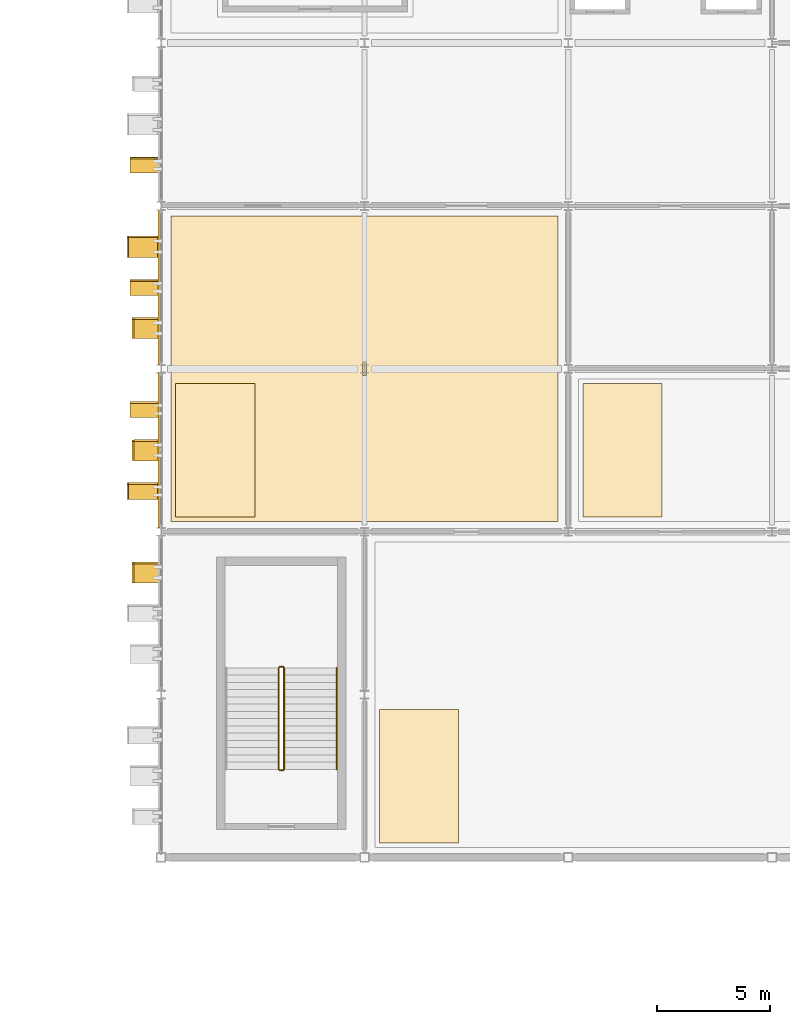
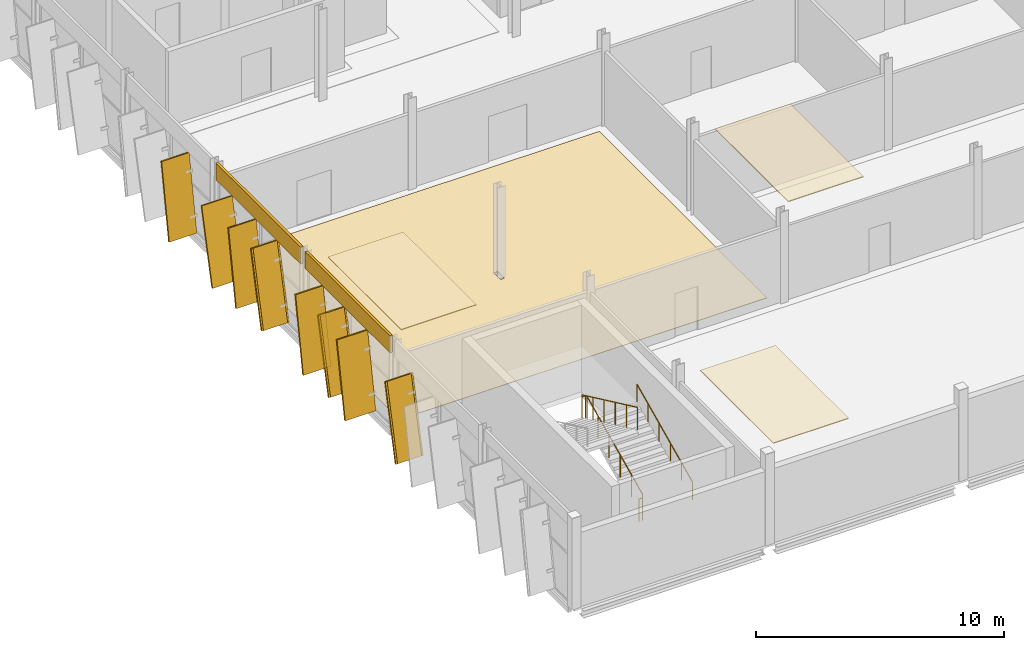
# One storey, part 73 of 78: 14 coverings, 8 shading devices, 5 railings.
"""IFC4 building model written with IfcOpenShell, lengths in metres."""

from ifc_helpers import new_model, si_unit, direction, frame, origin, origin_2d, place, context, subcontext, project, spatial, polyline, rectangle, circle, outline, extrude, material, layer, layer_set, material_profile, profile_set, type_object, element, save


model = new_model("IFC4")

# Units and contexts
model_context = context("Model", 3, precision=1e-05, world=origin(), true_north=direction((0.0, 1.0)))
body_context = subcontext(model_context, "Body", "Model", "MODEL_VIEW")
ifc_project = project(units=[si_unit("LENGTHUNIT", "METRE"), si_unit("AREAUNIT", "SQUARE_METRE"), si_unit("VOLUMEUNIT", "CUBIC_METRE"), si_unit("PLANEANGLEUNIT", "RADIAN"), si_unit("MASSUNIT", "GRAM", prefix="KILO")], contexts=[model_context])

# Site, building, storey
site_placement = place(None, origin())
site = spatial("IfcSite", under=ifc_project, at=site_placement, CompositionType="ELEMENT")
building_placement = place(site_placement, origin())
building = spatial("IfcBuilding", under=site, at=building_placement, Name="Celestram Park Convention Centre", CompositionType="ELEMENT")
storey_placement = place(building_placement, frame((0.0, 0.0, 19.800048828125)))
storey = spatial("IfcBuildingStorey", under=building, at=storey_placement, Name="L04", CompositionType="ELEMENT", Elevation=19.800048828125)

# Coverings
ifc_material_1 = material(Name="Anodised Bronze Aluminium Spandrel Cladding", Category="aluminium")
ifc_layer_1 = layer(ifc_material_1, 0.050048828125)
ifc_layer_set_1 = layer_set([ifc_layer_1], Name="Anodised Bronze Aluminium Spandrel Cladding")
covering_type_1 = type_object("IfcCoveringType", Name="ARC-COV-CLD060", PredefinedType="CLADDING", material=ifc_layer_set_1)
for number, where, z_axis, x_axis, name in (
    (1, (35.919921875, 126.0, 3.66796875), (0.0, 0.0, 1.0), (0.0, 1.0, 0.0), "Bronze spandrel cladding CL-L04-231"),
    (2, (35.919921875, 133.199951171875, 3.66796875), (0.0, 0.0, 1.0), (0.0, 1.0, 0.0), "Bronze spandrel cladding CL-L04-232"),
):
    element("IfcCovering", number, at=place(storey_placement, frame(where, z_axis=z_axis, x_axis=x_axis)), inside=storey, type_object=covering_type_1, Name=name, PredefinedType="CLADDING", context=body_context, shape_type="SweptSolid", body=[
        extrude(rectangle(XDim=6.8310546875, YDim=0.1201171875, at=origin_2d()), origin(), (0.0, 0.0, 1.0), 0.83203125),
    ])
ifc_material_2 = material(Name="Perforated Acoustic Mineral-Fibre Baffle Ceiling", Category="gypsum")
ifc_layer_2 = layer(ifc_material_2, 0.0400390625)
ifc_layer_set_2 = layer_set([ifc_layer_2], Name="Perforated Acoustic Mineral-Fibre Baffle Ceiling")
covering_type_2 = type_object("IfcCoveringType", Name="ARC-COV-CLG040", PredefinedType="CEILING", material=ifc_layer_set_2)
covering_1_placement = place(storey_placement, frame((0.0, 0.0, 4.219970703125)))
element("IfcCovering", 3, at=covering_1_placement, inside=storey, type_object=covering_type_2, Name="Summit VIP Briefing Room acoustic baffle ceiling", PredefinedType="CEILING", context=body_context, shape_type="SweptSolid", body=[
    extrude(outline(polyline([(45.64990234375, 108.64990234375), (49.14990234375, 108.64990234375), (49.14990234375, 114.550048828125), (45.64990234375, 114.550048828125), (45.64990234375, 108.64990234375)])), origin(), (0.0, 0.0, 1.0), 0.0400390625),
])
covering_2_placement = place(storey_placement, frame((0.0, 0.0, 4.219970703125)))
element("IfcCovering", 4, at=covering_2_placement, inside=storey, type_object=covering_type_2, Name="Executive Conference Room 401 acoustic baffle ceiling", PredefinedType="CEILING", context=body_context, shape_type="SweptSolid", body=[
    extrude(outline(polyline([(36.64990234375, 123.050048828125), (40.14990234375, 123.050048828125), (40.14990234375, 128.949951171875), (36.64990234375, 128.949951171875), (36.64990234375, 123.050048828125)])), origin(), (0.0, 0.0, 1.0), 0.0400390625),
])
covering_3_placement = place(storey_placement, frame((0.0, 0.0, 4.219970703125)))
element("IfcCovering", 5, at=covering_3_placement, inside=storey, type_object=covering_type_2, Name="Concourse Delegate Lounge L04 acoustic baffle ceiling", PredefinedType="CEILING", context=body_context, shape_type="SweptSolid", body=[
    extrude(outline(polyline([(54.64990234375, 123.050048828125), (58.14990234375, 123.050048828125), (58.14990234375, 128.949951171875), (54.64990234375, 128.949951171875), (54.64990234375, 123.050048828125)])), origin(), (0.0, 0.0, 1.0), 0.0400390625),
])
ifc_material_3 = material(Name="Timber-Toned Anodised Aluminium Alloy 6063-T6", Category="wood")
ifc_material_profile_1 = material_profile(ifc_material_3, rectangle(XDim=1.1201171875, YDim=0.090087890625, at=origin_2d()), Name="REED1120X90")
ifc_profile_set_1 = profile_set([ifc_material_profile_1], Name="Timber-Toned Anodised Aluminium Alloy 6063-T6")
covering_type_3 = type_object("IfcCoveringType", Name="ARC-COV-FIN1120", PredefinedType="CLADDING", material=ifc_profile_set_1)
covering_4_placement = place(storey_placement, frame((35.360107421875, 120.178466796875, 0.054443359375), z_axis=(0.0, 0.231720322485, 0.97278244852), x_axis=(-1.0, 0.0, 0.0)))
element("IfcCovering", 6, at=covering_4_placement, inside=storey, type_object=covering_type_3, Name="Leaning timber-toned reed fin RFN-L04-0734", PredefinedType="CLADDING", context=body_context, shape_type="SweptSolid", body=[
    extrude(rectangle(XDim=1.1201171875, YDim=0.090087890625, at=origin_2d()), origin(), (0.0, 0.0, 1.0), 3.63818359375),
])
covering_5_placement = place(storey_placement, frame((35.360107421875, 125.57861328125, 0.054443359375), z_axis=(0.0, 0.231656817308, 0.972797573493), x_axis=(-1.0, 0.0, 0.0)))
element("IfcCovering", 7, at=covering_5_placement, inside=storey, type_object=covering_type_3, Name="Leaning timber-toned reed fin RFN-L04-0736", PredefinedType="CLADDING", context=body_context, shape_type="SweptSolid", body=[
    extrude(rectangle(XDim=1.1201171875, YDim=0.090087890625, at=origin_2d()), origin(), (0.0, 0.0, 1.0), 3.637939453125),
])
covering_6_placement = place(storey_placement, frame((35.360107421875, 130.978515625, 0.054443359375), z_axis=(0.0, 0.231720322485, 0.97278244852), x_axis=(-1.0, 0.0, 0.0)))
element("IfcCovering", 8, at=covering_6_placement, inside=storey, type_object=covering_type_3, Name="Leaning timber-toned reed fin RFN-L04-0738", PredefinedType="CLADDING", context=body_context, shape_type="SweptSolid", body=[
    extrude(rectangle(XDim=1.1201171875, YDim=0.090087890625, at=origin_2d()), origin(), (0.0, 0.0, 1.0), 3.63818359375),
])
ifc_material_profile_2 = material_profile(ifc_material_3, rectangle(XDim=1.280029296875, YDim=0.090087890625, at=origin_2d()), Name="REED1280X90")
ifc_profile_set_2 = profile_set([ifc_material_profile_2], Name="Timber-Toned Anodised Aluminium Alloy 6063-T6")
covering_type_4 = type_object("IfcCoveringType", Name="ARC-COV-FIN1280", PredefinedType="CLADDING", material=ifc_profile_set_2)
for number, where, z_axis, x_axis, name in (
    (9, (35.280029296875, 127.490478515625, 0.031494140625), (0.0, 0.170185570127, 0.985412031447), (-1.0, 0.0, 0.0), "Leaning timber-toned reed fin RFN-L04-0737"),
    (10, (35.280029296875, 132.890380859375, 0.031494140625), (0.0, 0.170185570127, 0.985412031447), (-1.0, 0.0, 0.0), "Leaning timber-toned reed fin RFN-L04-0739"),
):
    element("IfcCovering", number, at=place(storey_placement, frame(where, z_axis=z_axis, x_axis=x_axis)), inside=storey, type_object=covering_type_4, Name=name, PredefinedType="CLADDING", context=body_context, shape_type="SweptSolid", body=[
        extrude(rectangle(XDim=1.280029296875, YDim=0.090087890625, at=origin_2d()), origin(), (0.0, 0.0, 1.0), 3.637939453125),
    ])
covering_7_placement = place(storey_placement, frame((35.280029296875, 138.290283203125, 0.031494140625), z_axis=(0.0, 0.170250733232, 0.985400775235), x_axis=(-1.0, 0.0, 0.0)))
element("IfcCovering", 11, at=covering_7_placement, inside=storey, type_object=covering_type_4, Name="Leaning timber-toned reed fin RFN-L04-0741", PredefinedType="CLADDING", context=body_context, shape_type="SweptSolid", body=[
    extrude(rectangle(XDim=1.280029296875, YDim=0.090087890625, at=origin_2d()), origin(), (0.0, 0.0, 1.0), 3.63818359375),
])
ifc_material_profile_3 = material_profile(ifc_material_3, rectangle(XDim=1.419921875, YDim=0.090087890625, at=origin_2d()), Name="REED1420X90")
ifc_profile_set_3 = profile_set([ifc_material_profile_3], Name="Timber-Toned Anodised Aluminium Alloy 6063-T6")
covering_type_5 = type_object("IfcCoveringType", Name="ARC-COV-FIN1420", PredefinedType="CLADDING", material=ifc_profile_set_3)
for number, where, z_axis, x_axis, name in (
    (12, (35.2099609375, 123.87158203125, 0.034912109375), (0.0, 0.180526977983, 0.983570033206), (-1.0, 0.0, 0.0), "Leaning timber-toned reed fin RFN-L04-0735"),
    (13, (35.2099609375, 134.566162109375, 0.057373046875), (0.0, 0.23850696927, 0.971140785679), (-1.0, 0.0, 0.0), "Leaning timber-toned reed fin RFN-L04-0740"),
):
    element("IfcCovering", number, at=place(storey_placement, frame(where, z_axis=z_axis, x_axis=x_axis)), inside=storey, type_object=covering_type_5, Name=name, PredefinedType="CLADDING", context=body_context, shape_type="SweptSolid", body=[
        extrude(rectangle(XDim=1.419921875, YDim=0.090087890625, at=origin_2d()), origin(), (0.0, 0.0, 1.0), 3.637939453125),
    ])
ifc_material_4 = material(Name="Polished Lakefront Aggregate Terrazzo Flooring", Category="concrete")
ifc_layer_3 = layer(ifc_material_4, 0.02001953125)
ifc_layer_set_3 = layer_set([ifc_layer_3], Name="Polished Lakefront Aggregate Terrazzo Flooring")
covering_type_6 = type_object("IfcCoveringType", Name="ARC-COV-FLR020", PredefinedType="FLOORING", material=ifc_layer_set_3)
covering_8_placement = place(storey_placement, origin())
element("IfcCovering", 14, at=covering_8_placement, inside=storey, type_object=covering_type_6, Name="Executive Conference Room 401 terrazzo flooring", PredefinedType="FLOORING", context=body_context, shape_type="SweptSolid", body=[
    extrude(outline(polyline([(53.550048828125, 136.35009765625), (53.550048828125, 122.85009765625), (36.449951171875, 122.85009765625), (36.449951171875, 136.35009765625), (53.550048828125, 136.35009765625)]), holes=[polyline([(44.913818359375, 129.33544921875), (45.086181640625, 129.33544921875), (45.086181640625, 129.864501953125), (44.913818359375, 129.864501953125), (44.913818359375, 129.33544921875)])]), origin(), (0.0, 0.0, 1.0), 0.02001953125),
])

# Shading devices
ifc_material_5 = material(Name="Anodised Bronze Aluminium Alloy 6063-T6", Category="aluminium")
ifc_material_profile_4 = material_profile(ifc_material_5, rectangle(XDim=1.280029296875, YDim=0.080078125, at=origin_2d()), Name="FIN1280X80")
ifc_profile_set_4 = profile_set([ifc_material_profile_4], Name="Anodised Bronze Aluminium Alloy 6063-T6")
shading_device_type = type_object("IfcShadingDeviceType", Name="ARC-FIN-BZ1280", PredefinedType="USERDEFINED", material=ifc_profile_set_4)
shading_device_1_placement = place(storey_placement, frame((35.360107421875, 120.178466796875, 0.054443359375), z_axis=(0.0, 0.231720322485, 0.97278244852), x_axis=(-1.0, 0.0, 0.0)))
element("IfcShadingDevice", 15, at=shading_device_1_placement, inside=storey, type_object=shading_device_type, Name="Expressive solar fin FN-L04-0734", ObjectType="SOLAR_FIN", PredefinedType="USERDEFINED", context=body_context, shape_type="SweptSolid", body=[
    extrude(rectangle(XDim=1.280029296875, YDim=0.080078125, at=origin_2d()), origin(), (0.0, 0.0, 1.0), 3.63818359375),
])
for number, where, z_axis, x_axis, name in (
    (16, (35.2099609375, 123.87158203125, 0.034912109375), (0.0, 0.180526977983, 0.983570033206), (-1.0, 0.0, 0.0), "Expressive solar fin FN-L04-0735"),
    (17, (35.360107421875, 125.57861328125, 0.054443359375), (0.0, 0.231656817308, 0.972797573493), (-1.0, 0.0, 0.0), "Expressive solar fin FN-L04-0736"),
    (18, (35.280029296875, 127.490478515625, 0.031494140625), (0.0, 0.170185570127, 0.985412031447), (-1.0, 0.0, 0.0), "Expressive solar fin FN-L04-0737"),
):
    element("IfcShadingDevice", number, at=place(storey_placement, frame(where, z_axis=z_axis, x_axis=x_axis)), inside=storey, type_object=shading_device_type, Name=name, ObjectType="SOLAR_FIN", PredefinedType="USERDEFINED", context=body_context, shape_type="SweptSolid", body=[
        extrude(rectangle(XDim=1.280029296875, YDim=0.080078125, at=origin_2d()), origin(), (0.0, 0.0, 1.0), 3.637939453125),
    ])
shading_device_2_placement = place(storey_placement, frame((35.360107421875, 130.978515625, 0.054443359375), z_axis=(0.0, 0.231720322485, 0.97278244852), x_axis=(-1.0, 0.0, 0.0)))
element("IfcShadingDevice", 19, at=shading_device_2_placement, inside=storey, type_object=shading_device_type, Name="Expressive solar fin FN-L04-0738", ObjectType="SOLAR_FIN", PredefinedType="USERDEFINED", context=body_context, shape_type="SweptSolid", body=[
    extrude(rectangle(XDim=1.280029296875, YDim=0.080078125, at=origin_2d()), origin(), (0.0, 0.0, 1.0), 3.63818359375),
])
for number, where, z_axis, x_axis, name in (
    (20, (35.280029296875, 132.890380859375, 0.031494140625), (0.0, 0.170185570127, 0.985412031447), (-1.0, 0.0, 0.0), "Expressive solar fin FN-L04-0739"),
    (21, (35.2099609375, 134.566162109375, 0.057373046875), (0.0, 0.23850696927, 0.971140785679), (-1.0, 0.0, 0.0), "Expressive solar fin FN-L04-0740"),
):
    element("IfcShadingDevice", number, at=place(storey_placement, frame(where, z_axis=z_axis, x_axis=x_axis)), inside=storey, type_object=shading_device_type, Name=name, ObjectType="SOLAR_FIN", PredefinedType="USERDEFINED", context=body_context, shape_type="SweptSolid", body=[
        extrude(rectangle(XDim=1.280029296875, YDim=0.080078125, at=origin_2d()), origin(), (0.0, 0.0, 1.0), 3.637939453125),
    ])
shading_device_3_placement = place(storey_placement, frame((35.280029296875, 138.290283203125, 0.031494140625), z_axis=(0.0, 0.170250733232, 0.985400775235), x_axis=(-1.0, 0.0, 0.0)))
element("IfcShadingDevice", 22, at=shading_device_3_placement, inside=storey, type_object=shading_device_type, Name="Expressive solar fin FN-L04-0741", ObjectType="SOLAR_FIN", PredefinedType="USERDEFINED", context=body_context, shape_type="SweptSolid", body=[
    extrude(rectangle(XDim=1.280029296875, YDim=0.080078125, at=origin_2d()), origin(), (0.0, 0.0, 1.0), 3.63818359375),
])

# Railings
ifc_material_6 = material(Name="Stainless Steel AISI 316L & Laminated Glass", Category="steel")
ifc_layer_4 = layer(ifc_material_6, 0.06005859375)
ifc_layer_set_4 = layer_set([ifc_layer_4], Name="Stainless Steel AISI 316L & Laminated Glass")
railing_type_1 = type_object("IfcRailingType", Name="ARC-RL-GRD1120", PredefinedType="GUARDRAIL", material=ifc_layer_set_4)
railing_1_placement = place(storey_placement, frame((41.43603515625, 111.89990234375, 0.14990234375)))
element("IfcRailing", 23, at=railing_1_placement, inside=storey, type_object=railing_type_1, Name="L04 ST-13 stair guard 1", PredefinedType="GUARDRAIL", context=body_context, shape_type="SweptSolid", body=[
    extrude(circle(Radius=0.02392578125, at=origin_2d()), frame((0.0, 0.0, 1.09619140625), z_axis=(0.0, 0.905450639465, 0.424451574969), x_axis=(-1.0, 0.0, 0.0)), (0.0, 0.0, 1.0), 4.94775390625),
    extrude(circle(Radius=0.02099609375, at=origin_2d()), origin(), (0.0, 0.0, 1.0), 1.072021484375),
    extrude(circle(Radius=0.02099609375, at=origin_2d()), frame((0.0, 0.89599609375, 0.419921875)), (0.0, 0.0, 1.0), 1.072021484375),
    extrude(circle(Radius=0.02099609375, at=origin_2d()), frame((0.0, 1.7919921875, 0.840087890625)), (0.0, 0.0, 1.0), 1.072021484375),
    extrude(circle(Radius=0.02099609375, at=origin_2d()), frame((0.0, 2.68798828125, 1.260009765625)), (0.0, 0.0, 1.0), 1.072021484375),
    extrude(circle(Radius=0.02099609375, at=origin_2d()), frame((0.0, 3.583984375, 1.68017578125)), (0.0, 0.0, 1.0), 1.072021484375),
    extrude(circle(Radius=0.02099609375, at=origin_2d()), frame((0.0, 4.47998046875, 2.10009765625)), (0.0, 0.0, 1.0), 1.072021484375),
])
railing_2_placement = place(storey_placement, frame((41.39990234375, 116.429931640625, 2.25)))
element("IfcRailing", 24, at=railing_2_placement, inside=storey, type_object=railing_type_1, Name="L04 ST-13 stair guard 2", PredefinedType="GUARDRAIL", context=body_context, shape_type="SweptSolid", body=[
    extrude(circle(Radius=0.02392578125, at=origin_2d()), frame((0.0, 0.0, 1.09619140625), z_axis=(-1.0, 0.0, 0.0), x_axis=(0.0, -1.0, 0.0)), (0.0, 0.0, 1.0), 0.159912109375),
    extrude(circle(Radius=0.02099609375, at=origin_2d()), origin(), (0.0, 0.0, 1.0), 1.072021484375),
    extrude(circle(Radius=0.02099609375, at=origin_2d()), frame((-0.159912109375, 0.0, 0.0)), (0.0, 0.0, 1.0), 1.072021484375),
])
railing_3_placement = place(storey_placement, frame((41.2041015625, 116.3798828125, 2.39990234375)))
element("IfcRailing", 25, at=railing_3_placement, inside=storey, type_object=railing_type_1, Name="L04 ST-13 stair guard 3", PredefinedType="GUARDRAIL", context=body_context, shape_type="SweptSolid", body=[
    extrude(circle(Radius=0.02392578125, at=origin_2d()), frame((0.0, 0.0, 1.09619140625), z_axis=(0.0, -0.905450639465, 0.424451574969), x_axis=(1.0, 0.0, 0.0)), (0.0, 0.0, 1.0), 4.94775390625),
    extrude(circle(Radius=0.02099609375, at=origin_2d()), origin(), (0.0, 0.0, 1.0), 1.072021484375),
    extrude(circle(Radius=0.02099609375, at=origin_2d()), frame((0.0, -0.89599609375, 0.419921875)), (0.0, 0.0, 1.0), 1.072021484375),
    extrude(circle(Radius=0.02099609375, at=origin_2d()), frame((0.0, -1.7919921875, 0.840087890625)), (0.0, 0.0, 1.0), 1.072021484375),
    extrude(circle(Radius=0.02099609375, at=origin_2d()), frame((0.0, -2.68798828125, 1.260009765625)), (0.0, 0.0, 1.0), 1.072021484375),
    extrude(circle(Radius=0.02099609375, at=origin_2d()), frame((0.0, -3.583984375, 1.68017578125)), (0.0, 0.0, 1.0), 1.072021484375),
    extrude(circle(Radius=0.02099609375, at=origin_2d()), frame((0.0, -4.47998046875, 2.10009765625)), (0.0, 0.0, 1.0), 1.072021484375),
])
railing_4_placement = place(storey_placement, frame((41.39990234375, 111.85009765625, 0.0)))
element("IfcRailing", 26, at=railing_4_placement, inside=storey, type_object=railing_type_1, Name="L04 ST-13 stair guard 4", PredefinedType="GUARDRAIL", context=body_context, shape_type="SweptSolid", body=[
    extrude(circle(Radius=0.02392578125, at=origin_2d()), frame((0.0, 0.0, 1.09619140625), z_axis=(-1.0, 0.0, 0.0), x_axis=(0.0, -1.0, 0.0)), (0.0, 0.0, 1.0), 0.159912109375),
    extrude(circle(Radius=0.02099609375, at=origin_2d()), origin(), (0.0, 0.0, 1.0), 1.072021484375),
    extrude(circle(Radius=0.02099609375, at=origin_2d()), frame((-0.159912109375, 0.0, 0.0)), (0.0, 0.0, 1.0), 1.072021484375),
])
ifc_material_7 = material(Name="Brushed Stainless Steel AISI 304", Category="steel")
ifc_layer_5 = layer(ifc_material_7, 0.048095703125)
ifc_layer_set_5 = layer_set([ifc_layer_5], Name="Brushed Stainless Steel AISI 304")
railing_type_2 = type_object("IfcRailingType", Name="ARC-RL-HND915", PredefinedType="HANDRAIL", material=ifc_layer_set_5)
railing_5_placement = place(storey_placement, frame((43.763916015625, 111.89990234375, 0.14990234375)))
element("IfcRailing", 27, at=railing_5_placement, inside=storey, type_object=railing_type_2, Name="L04 ST-13 stair handrail 1", PredefinedType="HANDRAIL", context=body_context, shape_type="SweptSolid", body=[
    extrude(circle(Radius=0.02392578125, at=origin_2d()), frame((0.0, 0.0, 0.8759765625), z_axis=(0.0, 0.905450639465, 0.424451574969), x_axis=(-1.0, 0.0, 0.0)), (0.0, 0.0, 1.0), 4.94775390625),
    extrude(circle(Radius=0.02099609375, at=origin_2d()), origin(), (0.0, 0.0, 1.0), 0.851806640625),
    extrude(circle(Radius=0.02099609375, at=origin_2d()), frame((0.0, 0.89599609375, 0.419921875)), (0.0, 0.0, 1.0), 0.851806640625),
    extrude(circle(Radius=0.02099609375, at=origin_2d()), frame((0.0, 1.7919921875, 0.840087890625)), (0.0, 0.0, 1.0), 0.851806640625),
    extrude(circle(Radius=0.02099609375, at=origin_2d()), frame((0.0, 2.68798828125, 1.260009765625)), (0.0, 0.0, 1.0), 0.851806640625),
    extrude(circle(Radius=0.02099609375, at=origin_2d()), frame((0.0, 3.583984375, 1.68017578125)), (0.0, 0.0, 1.0), 0.851806640625),
    extrude(circle(Radius=0.02099609375, at=origin_2d()), frame((0.0, 4.47998046875, 2.10009765625)), (0.0, 0.0, 1.0), 0.851806640625),
])

save(model, "model.ifc")
